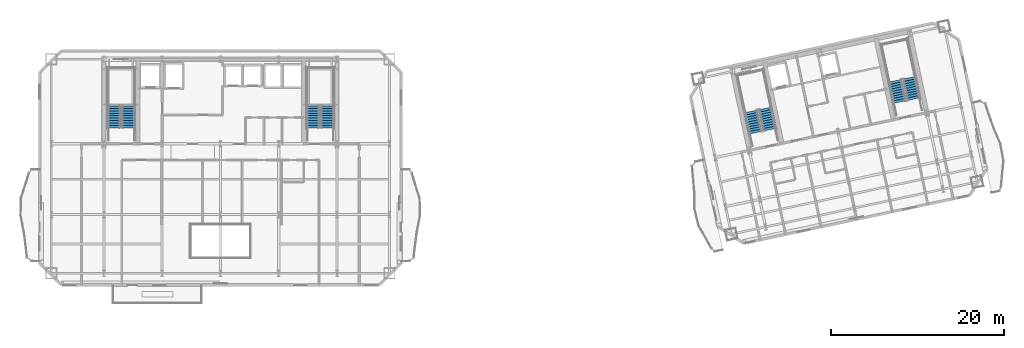
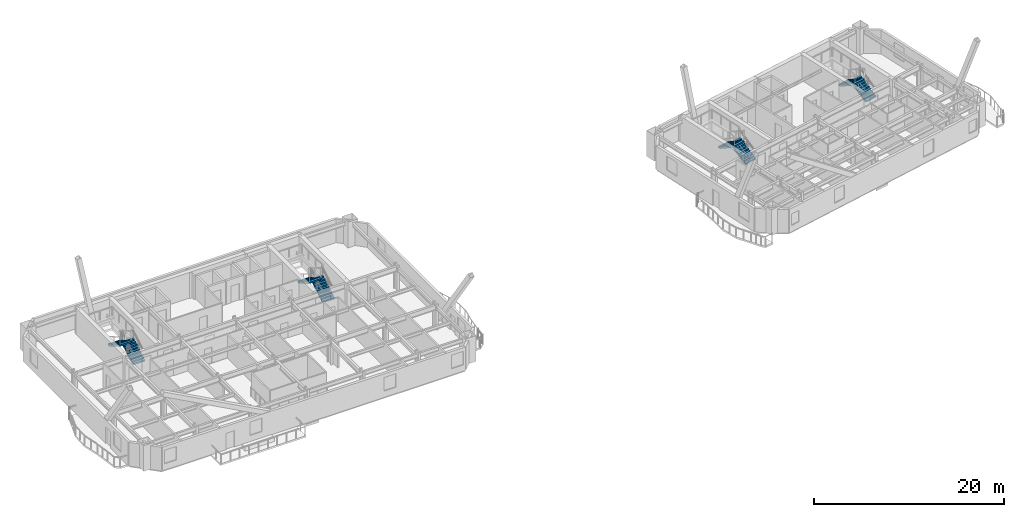
# One storey, part 9 of 13: 8 stair flights, 4 elements without a shape of their own.
"""IFC4 building model written with IfcOpenShell, lengths in metres."""

from ifc_helpers import new_model, si_unit, direction, frame, origin, place, context, subcontext, project, spatial, polyline, outline, extrude, material, type_object, element, aggregate, save


model = new_model("IFC4")

# Units and contexts
model_context = context("Model", 3, precision=1e-05, world=origin(), true_north=direction((0.0, 1.0)))
body_context = subcontext(model_context, "Body", "Model", "MODEL_VIEW")
ifc_project = project(units=[si_unit("LENGTHUNIT", "METRE"), si_unit("AREAUNIT", "SQUARE_METRE"), si_unit("VOLUMEUNIT", "CUBIC_METRE"), si_unit("PLANEANGLEUNIT", "RADIAN"), si_unit("MASSUNIT", "GRAM", prefix="KILO")], contexts=[model_context])

# Site, building, storey
site_placement = place(None, origin())
site = spatial("IfcSite", under=ifc_project, at=site_placement, CompositionType="ELEMENT")
building_placement = place(site_placement, origin())
building = spatial("IfcBuilding", under=site, at=building_placement, Name="Haevon Station Towers", CompositionType="ELEMENT")
storey_placement = place(building_placement, frame((0.0, 0.0, 165.89990234375)))
storey = spatial("IfcBuildingStorey", under=building, at=storey_placement, Name="L45", CompositionType="ELEMENT", Elevation=165.89990234375)

# Stair, stair flights
ifc_material = material(Name="Concrete C40/50", Category="concrete")
stair_type = type_object("IfcStairType", Name="STR-DL1450", PredefinedType="USERDEFINED", material=ifc_material)
stair_1_placement = place(storey_placement, origin())
stair_1 = element("IfcStair", 1, at=stair_1_placement, inside=storey, type_object=stair_type, Name="L45 Escape Stair ST1", ObjectType="TWO_RETURN_STAIR", PredefinedType="USERDEFINED")
stair_flight_type = type_object("IfcStairFlightType", Name="STF-ST1450", PredefinedType="STRAIGHT", material=ifc_material)
stair_flight_1_placement = place(storey_placement, frame((26.85498046875, 40.050048828125, 0.0), z_axis=(0.0, 0.0, 1.0), x_axis=(0.0, 1.0, 0.0)))
stair_flight_1 = element("IfcStairFlight", 2, at=stair_flight_1_placement, type_object=stair_flight_type, Name="L45 ST1 Flight 1", NumberOfRisers=10, NumberOfTreads=9, PredefinedType="STRAIGHT", RiserHeight=0.165, TreadLength=0.28, context=body_context, shape_type="SweptSolid", body=[
    extrude(outline(polyline([(0.0, 0.0), (0.0, 0.1650390625), (0.280029296875, 0.1650390625), (0.280029296875, 0.330078125), (0.56005859375, 0.330078125), (0.56005859375, 0.4951171875), (0.840087890625, 0.4951171875), (0.840087890625, 0.659912109375), (1.1201171875, 0.659912109375), (1.1201171875, 0.824951171875), (1.39990234375, 0.824951171875), (1.39990234375, 0.989990234375), (1.679931640625, 0.989990234375), (1.679931640625, 1.155029296875), (1.9599609375, 1.155029296875), (1.9599609375, 1.320068359375), (2.239990234375, 1.320068359375), (2.239990234375, 1.485107421875), (2.52001953125, 1.485107421875), (2.52001953125, 1.64990234375), (2.52001953125, 1.29931640625), (0.31494140625, 0.0), (0.0, 0.0)])), frame((0.0, 0.72509765625, 0.0), z_axis=(0.0, -1.0, 0.0), x_axis=(1.0, 0.0, 0.0)), (0.0, 0.0, 1.0), 1.449951171875),
])
stair_flight_2_placement = place(storey_placement, frame((25.205078125, 42.570068359375, 1.650146484375), z_axis=(0.0, 0.0, 1.0), x_axis=(0.0, -1.0, 0.0)))
stair_flight_2 = element("IfcStairFlight", 3, at=stair_flight_2_placement, type_object=stair_flight_type, Name="L45 ST1 Flight 2", NumberOfRisers=10, NumberOfTreads=9, PredefinedType="STRAIGHT", RiserHeight=0.165, TreadLength=0.28, context=body_context, shape_type="SweptSolid", body=[
    extrude(outline(polyline([(0.0, 0.0), (0.0, 0.1650390625), (0.280029296875, 0.1650390625), (0.280029296875, 0.330078125), (0.56005859375, 0.330078125), (0.56005859375, 0.4951171875), (0.840087890625, 0.4951171875), (0.840087890625, 0.659912109375), (1.1201171875, 0.659912109375), (1.1201171875, 0.824951171875), (1.39990234375, 0.824951171875), (1.39990234375, 0.989990234375), (1.679931640625, 0.989990234375), (1.679931640625, 1.155029296875), (1.9599609375, 1.155029296875), (1.9599609375, 1.320068359375), (2.239990234375, 1.320068359375), (2.239990234375, 1.485107421875), (2.52001953125, 1.485107421875), (2.52001953125, 1.64990234375), (2.52001953125, 1.29931640625), (0.31494140625, 0.0), (0.0, 0.0)])), frame((0.0, 0.72509765625, 0.0), z_axis=(0.0, -1.0, 0.0), x_axis=(1.0, 0.0, 0.0)), (0.0, 0.0, 1.0), 1.449951171875),
])
aggregate(stair_1, [stair_flight_1, stair_flight_2])

stair_2_placement = place(storey_placement, origin())
stair_2 = element("IfcStair", 4, at=stair_2_placement, inside=storey, type_object=stair_type, Name="L45 Escape Stair ST2", ObjectType="TWO_RETURN_STAIR", PredefinedType="USERDEFINED")
stair_flight_3_placement = place(storey_placement, frame((49.89501953125, 40.050048828125, 0.0), z_axis=(0.0, 0.0, 1.0), x_axis=(0.0, 1.0, 0.0)))
stair_flight_3 = element("IfcStairFlight", 5, at=stair_flight_3_placement, type_object=stair_flight_type, Name="L45 ST2 Flight 1", NumberOfRisers=10, NumberOfTreads=9, PredefinedType="STRAIGHT", RiserHeight=0.165, TreadLength=0.28, context=body_context, shape_type="SweptSolid", body=[
    extrude(outline(polyline([(0.0, 0.0), (0.0, 0.1650390625), (0.280029296875, 0.1650390625), (0.280029296875, 0.330078125), (0.56005859375, 0.330078125), (0.56005859375, 0.4951171875), (0.840087890625, 0.4951171875), (0.840087890625, 0.659912109375), (1.1201171875, 0.659912109375), (1.1201171875, 0.824951171875), (1.39990234375, 0.824951171875), (1.39990234375, 0.989990234375), (1.679931640625, 0.989990234375), (1.679931640625, 1.155029296875), (1.9599609375, 1.155029296875), (1.9599609375, 1.320068359375), (2.239990234375, 1.320068359375), (2.239990234375, 1.485107421875), (2.52001953125, 1.485107421875), (2.52001953125, 1.64990234375), (2.52001953125, 1.29931640625), (0.31494140625, 0.0), (0.0, 0.0)])), frame((0.0, 0.72509765625, 0.0), z_axis=(0.0, -1.0, 0.0), x_axis=(1.0, 0.0, 0.0)), (0.0, 0.0, 1.0), 1.449951171875),
])
stair_flight_4_placement = place(storey_placement, frame((48.2451171875, 42.570068359375, 1.650146484375), z_axis=(0.0, 0.0, 1.0), x_axis=(0.0, -1.0, 0.0)))
stair_flight_4 = element("IfcStairFlight", 6, at=stair_flight_4_placement, type_object=stair_flight_type, Name="L45 ST2 Flight 2", NumberOfRisers=10, NumberOfTreads=9, PredefinedType="STRAIGHT", RiserHeight=0.165, TreadLength=0.28, context=body_context, shape_type="SweptSolid", body=[
    extrude(outline(polyline([(0.0, 0.0), (0.0, 0.1650390625), (0.280029296875, 0.1650390625), (0.280029296875, 0.330078125), (0.56005859375, 0.330078125), (0.56005859375, 0.4951171875), (0.840087890625, 0.4951171875), (0.840087890625, 0.659912109375), (1.1201171875, 0.659912109375), (1.1201171875, 0.824951171875), (1.39990234375, 0.824951171875), (1.39990234375, 0.989990234375), (1.679931640625, 0.989990234375), (1.679931640625, 1.155029296875), (1.9599609375, 1.155029296875), (1.9599609375, 1.320068359375), (2.239990234375, 1.320068359375), (2.239990234375, 1.485107421875), (2.52001953125, 1.485107421875), (2.52001953125, 1.64990234375), (2.52001953125, 1.29931640625), (0.31494140625, 0.0), (0.0, 0.0)])), frame((0.0, 0.72509765625, 0.0), z_axis=(0.0, -1.0, 0.0), x_axis=(1.0, 0.0, 0.0)), (0.0, 0.0, 1.0), 1.449951171875),
])
aggregate(stair_2, [stair_flight_3, stair_flight_4])

stair_3_placement = place(storey_placement, origin())
stair_3 = element("IfcStair", 7, at=stair_3_placement, inside=storey, type_object=stair_type, Name="L45 Escape Stair ST3", ObjectType="TWO_RETURN_STAIR", PredefinedType="USERDEFINED")
stair_flight_5_placement = place(storey_placement, frame((101.1015625, 39.8330078125, 0.0), z_axis=(0.0, 0.0, 1.0), x_axis=(-0.207911690818, 0.978147600734, 0.0)))
stair_flight_5 = element("IfcStairFlight", 8, at=stair_flight_5_placement, type_object=stair_flight_type, Name="L45 ST3 Flight 1", NumberOfRisers=10, NumberOfTreads=9, PredefinedType="STRAIGHT", RiserHeight=0.165, TreadLength=0.28, context=body_context, shape_type="SweptSolid", body=[
    extrude(outline(polyline([(0.0, 0.0), (0.0, 0.1650390625), (0.280029296875, 0.1650390625), (0.280029296875, 0.330078125), (0.56005859375, 0.330078125), (0.56005859375, 0.4951171875), (0.840087890625, 0.4951171875), (0.840087890625, 0.659912109375), (1.1201171875, 0.659912109375), (1.1201171875, 0.824951171875), (1.39990234375, 0.824951171875), (1.39990234375, 0.989990234375), (1.679931640625, 0.989990234375), (1.679931640625, 1.155029296875), (1.9599609375, 1.155029296875), (1.9599609375, 1.320068359375), (2.239990234375, 1.320068359375), (2.239990234375, 1.485107421875), (2.52001953125, 1.485107421875), (2.52001953125, 1.64990234375), (2.52001953125, 1.29931640625), (0.31494140625, 0.0), (0.0, 0.0)])), frame((0.0, 0.72509765625, 0.0), z_axis=(0.0, -1.0, 0.0), x_axis=(1.0, 0.0, 0.0)), (0.0, 0.0, 1.0), 1.449951171875),
])
stair_flight_6_placement = place(storey_placement, frame((98.9638671875, 41.955078125, 1.650146484375), z_axis=(0.0, 0.0, 1.0), x_axis=(0.207911690818, -0.978147600734, 0.0)))
stair_flight_6 = element("IfcStairFlight", 9, at=stair_flight_6_placement, type_object=stair_flight_type, Name="L45 ST3 Flight 2", NumberOfRisers=10, NumberOfTreads=9, PredefinedType="STRAIGHT", RiserHeight=0.165, TreadLength=0.28, context=body_context, shape_type="SweptSolid", body=[
    extrude(outline(polyline([(0.0, 0.0), (0.0, 0.1650390625), (0.280029296875, 0.1650390625), (0.280029296875, 0.330078125), (0.56005859375, 0.330078125), (0.56005859375, 0.4951171875), (0.840087890625, 0.4951171875), (0.840087890625, 0.659912109375), (1.1201171875, 0.659912109375), (1.1201171875, 0.824951171875), (1.39990234375, 0.824951171875), (1.39990234375, 0.989990234375), (1.679931640625, 0.989990234375), (1.679931640625, 1.155029296875), (1.9599609375, 1.155029296875), (1.9599609375, 1.320068359375), (2.239990234375, 1.320068359375), (2.239990234375, 1.485107421875), (2.52001953125, 1.485107421875), (2.52001953125, 1.64990234375), (2.52001953125, 1.29931640625), (0.31494140625, 0.0), (0.0, 0.0)])), frame((0.0, 0.72509765625, 0.0), z_axis=(0.0, -1.0, 0.0), x_axis=(1.0, 0.0, 0.0)), (0.0, 0.0, 1.0), 1.449951171875),
])
aggregate(stair_3, [stair_flight_5, stair_flight_6])

stair_4_placement = place(storey_placement, origin())
stair_4 = element("IfcStair", 10, at=stair_4_placement, inside=storey, type_object=stair_type, Name="L45 Escape Stair ST4", ObjectType="TWO_RETURN_STAIR", PredefinedType="USERDEFINED")
stair_flight_7_placement = place(storey_placement, frame((117.788818359375, 43.380126953125, 0.0), z_axis=(0.0, 0.0, 1.0), x_axis=(-0.207911690818, 0.978147600734, 0.0)))
stair_flight_7 = element("IfcStairFlight", 11, at=stair_flight_7_placement, type_object=stair_flight_type, Name="L45 ST4 Flight 1", NumberOfRisers=10, NumberOfTreads=9, PredefinedType="STRAIGHT", RiserHeight=0.165, TreadLength=0.28, context=body_context, shape_type="SweptSolid", body=[
    extrude(outline(polyline([(0.0, 0.0), (0.0, 0.1650390625), (0.280029296875, 0.1650390625), (0.280029296875, 0.330078125), (0.56005859375, 0.330078125), (0.56005859375, 0.4951171875), (0.840087890625, 0.4951171875), (0.840087890625, 0.659912109375), (1.1201171875, 0.659912109375), (1.1201171875, 0.824951171875), (1.39990234375, 0.824951171875), (1.39990234375, 0.989990234375), (1.679931640625, 0.989990234375), (1.679931640625, 1.155029296875), (1.9599609375, 1.155029296875), (1.9599609375, 1.320068359375), (2.239990234375, 1.320068359375), (2.239990234375, 1.485107421875), (2.52001953125, 1.485107421875), (2.52001953125, 1.64990234375), (2.52001953125, 1.29931640625), (0.31494140625, 0.0), (0.0, 0.0)])), frame((0.0, 0.72509765625, 0.0), z_axis=(0.0, -1.0, 0.0), x_axis=(1.0, 0.0, 0.0)), (0.0, 0.0, 1.0), 1.449951171875),
])
stair_flight_8_placement = place(storey_placement, frame((115.65087890625, 45.501953125, 1.650146484375), z_axis=(0.0, 0.0, 1.0), x_axis=(0.207911690818, -0.978147600734, 0.0)))
stair_flight_8 = element("IfcStairFlight", 12, at=stair_flight_8_placement, type_object=stair_flight_type, Name="L45 ST4 Flight 2", NumberOfRisers=10, NumberOfTreads=9, PredefinedType="STRAIGHT", RiserHeight=0.165, TreadLength=0.28, context=body_context, shape_type="SweptSolid", body=[
    extrude(outline(polyline([(0.0, 0.0), (0.0, 0.1650390625), (0.280029296875, 0.1650390625), (0.280029296875, 0.330078125), (0.56005859375, 0.330078125), (0.56005859375, 0.4951171875), (0.840087890625, 0.4951171875), (0.840087890625, 0.659912109375), (1.1201171875, 0.659912109375), (1.1201171875, 0.824951171875), (1.39990234375, 0.824951171875), (1.39990234375, 0.989990234375), (1.679931640625, 0.989990234375), (1.679931640625, 1.155029296875), (1.9599609375, 1.155029296875), (1.9599609375, 1.320068359375), (2.239990234375, 1.320068359375), (2.239990234375, 1.485107421875), (2.52001953125, 1.485107421875), (2.52001953125, 1.64990234375), (2.52001953125, 1.29931640625), (0.31494140625, 0.0), (0.0, 0.0)])), frame((0.0, 0.72509765625, 0.0), z_axis=(0.0, -1.0, 0.0), x_axis=(1.0, 0.0, 0.0)), (0.0, 0.0, 1.0), 1.449951171875),
])
aggregate(stair_4, [stair_flight_7, stair_flight_8])

save(model, "model.ifc")
